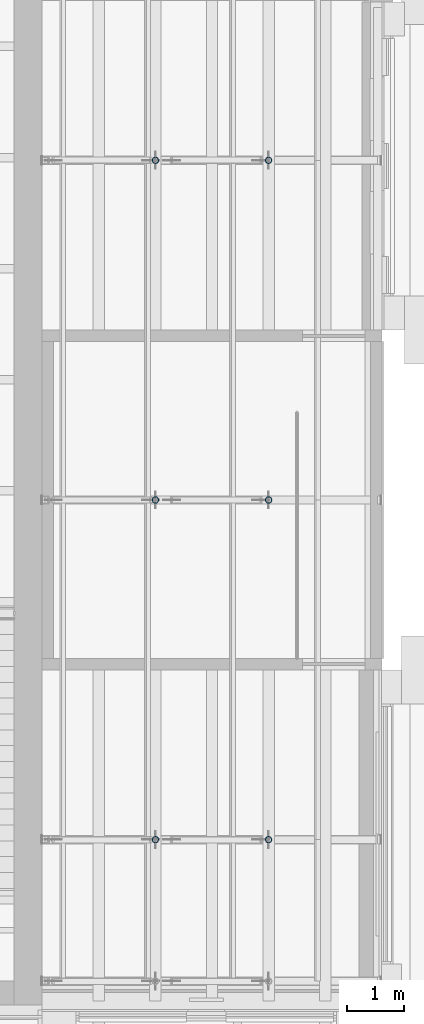
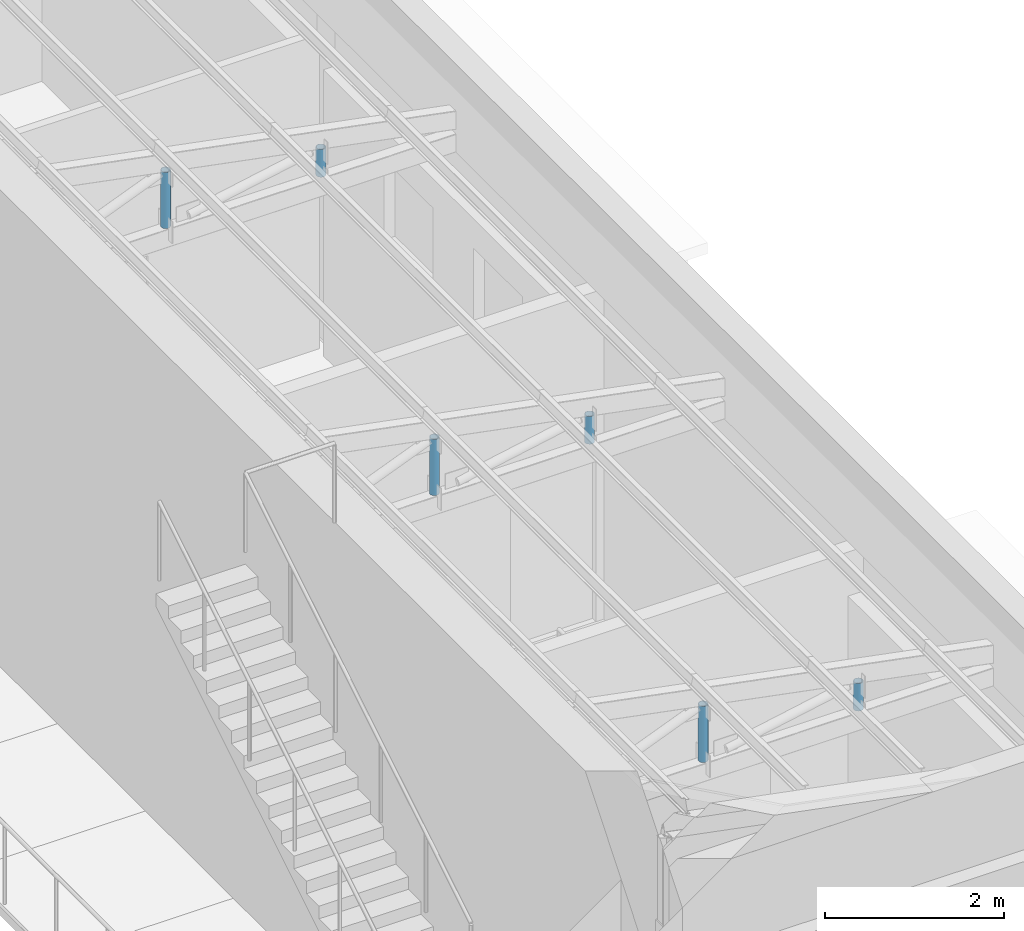
# One storey, part 56 of 118: 6 members.
"""IFC4 building model written with IfcOpenShell, lengths in metres."""

from ifc_helpers import new_model, si_unit, direction, frame, origin, origin_2d, place, context, subcontext, project, spatial, hollow_circle, extrude, material, material_profile, profile_set, type_object, element, save


model = new_model("IFC4")

# Units and contexts
model_context = context("Model", 3, precision=1e-05, world=origin(), true_north=direction((0.0, 1.0)))
body_context = subcontext(model_context, "Body", "Model", "MODEL_VIEW")
ifc_project = project(units=[si_unit("LENGTHUNIT", "METRE"), si_unit("AREAUNIT", "SQUARE_METRE"), si_unit("VOLUMEUNIT", "CUBIC_METRE"), si_unit("PLANEANGLEUNIT", "RADIAN"), si_unit("MASSUNIT", "GRAM", prefix="KILO")], contexts=[model_context])

# Site, building, storey
site_placement = place(None, origin())
site = spatial("IfcSite", under=ifc_project, at=site_placement, CompositionType="ELEMENT")
building_placement = place(site_placement, origin())
building = spatial("IfcBuilding", under=site, at=building_placement, Name="Saffron Lane Theatres", CompositionType="ELEMENT")
storey_placement = place(building_placement, frame((0.0, 0.0, 16.5)))
storey = spatial("IfcBuildingStorey", under=building, at=storey_placement, Name="L03", CompositionType="ELEMENT", Elevation=16.5)

# Members
ifc_material = material(Name="Steel Grade 350", Category="steel")
ifc_material_profile = material_profile(ifc_material, hollow_circle(Radius=0.05712890625, WallThickness=0.006103515625, at=origin_2d()))
ifc_profile_set = profile_set([ifc_material_profile], Name="Steel Grade 350")
member_type = type_object("IfcMemberType", Name="ST-STUDIO TRUSS WEB 114.3x6.0 CHS", PredefinedType="BRACE", material=ifc_profile_set)
member_1_placement = place(storey_placement, frame((52.0, 33.0, 4.75), z_axis=(0.0, 0.0, 1.0), x_axis=(1.0, 0.0, 0.0)))
element("IfcMember", 1, at=member_1_placement, inside=storey, type_object=member_type, Name="SB4-W11", PredefinedType="BRACE", context=body_context, shape_type="SweptSolid", body=[
    extrude(hollow_circle(Radius=0.05712890625, WallThickness=0.006103515625, at=origin_2d()), origin(), (0.0, 0.0, 1.0), 0.377197265625),
])
member_2_placement = place(storey_placement, frame((50.0, 33.0, 4.75), z_axis=(0.0, 0.0, 1.0), x_axis=(1.0, 0.0, 0.0)))
element("IfcMember", 2, at=member_2_placement, inside=storey, type_object=member_type, Name="SB4-W12", PredefinedType="BRACE", context=body_context, shape_type="SweptSolid", body=[
    extrude(hollow_circle(Radius=0.05712890625, WallThickness=0.006103515625, at=origin_2d()), origin(), (0.0, 0.0, 1.0), 0.765625),
])
member_3_placement = place(storey_placement, frame((52.0, 39.0, 4.75), z_axis=(0.0, 0.0, 1.0), x_axis=(1.0, 0.0, 0.0)))
element("IfcMember", 3, at=member_3_placement, inside=storey, type_object=member_type, Name="SB4-W18", PredefinedType="BRACE", context=body_context, shape_type="SweptSolid", body=[
    extrude(hollow_circle(Radius=0.05712890625, WallThickness=0.006103515625, at=origin_2d()), origin(), (0.0, 0.0, 1.0), 0.377197265625),
])
member_4_placement = place(storey_placement, frame((50.0, 39.0, 4.75), z_axis=(0.0, 0.0, 1.0), x_axis=(1.0, 0.0, 0.0)))
element("IfcMember", 4, at=member_4_placement, inside=storey, type_object=member_type, Name="SB4-W19", PredefinedType="BRACE", context=body_context, shape_type="SweptSolid", body=[
    extrude(hollow_circle(Radius=0.05712890625, WallThickness=0.006103515625, at=origin_2d()), origin(), (0.0, 0.0, 1.0), 0.765625),
])
member_5_placement = place(storey_placement, frame((52.0, 45.0, 4.75), z_axis=(0.0, 0.0, 1.0), x_axis=(1.0, 0.0, 0.0)))
element("IfcMember", 5, at=member_5_placement, inside=storey, type_object=member_type, Name="SB4-W25", PredefinedType="BRACE", context=body_context, shape_type="SweptSolid", body=[
    extrude(hollow_circle(Radius=0.05712890625, WallThickness=0.006103515625, at=origin_2d()), origin(), (0.0, 0.0, 1.0), 0.377197265625),
])
member_6_placement = place(storey_placement, frame((50.0, 45.0, 4.75), z_axis=(0.0, 0.0, 1.0), x_axis=(1.0, 0.0, 0.0)))
element("IfcMember", 6, at=member_6_placement, inside=storey, type_object=member_type, Name="SB4-W26", PredefinedType="BRACE", context=body_context, shape_type="SweptSolid", body=[
    extrude(hollow_circle(Radius=0.05712890625, WallThickness=0.006103515625, at=origin_2d()), origin(), (0.0, 0.0, 1.0), 0.765625),
])

save(model, "model.ifc")
